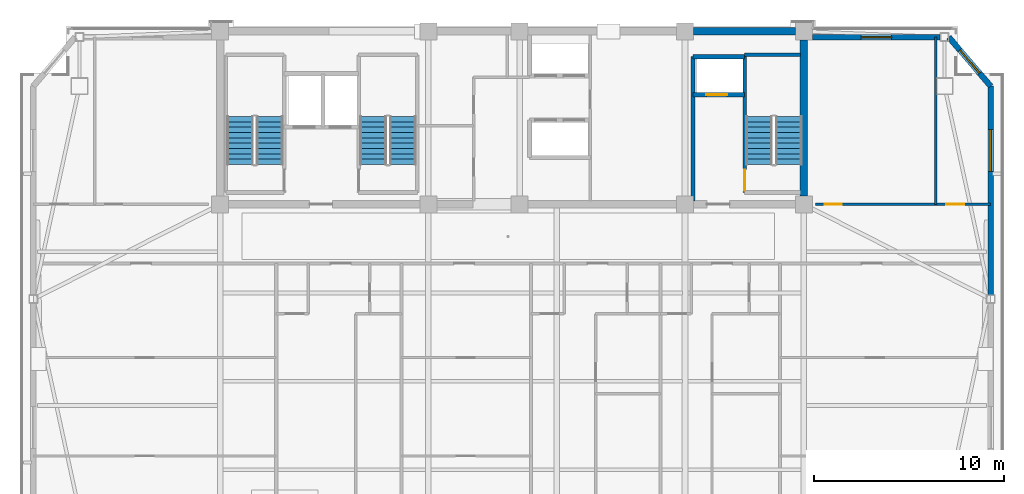
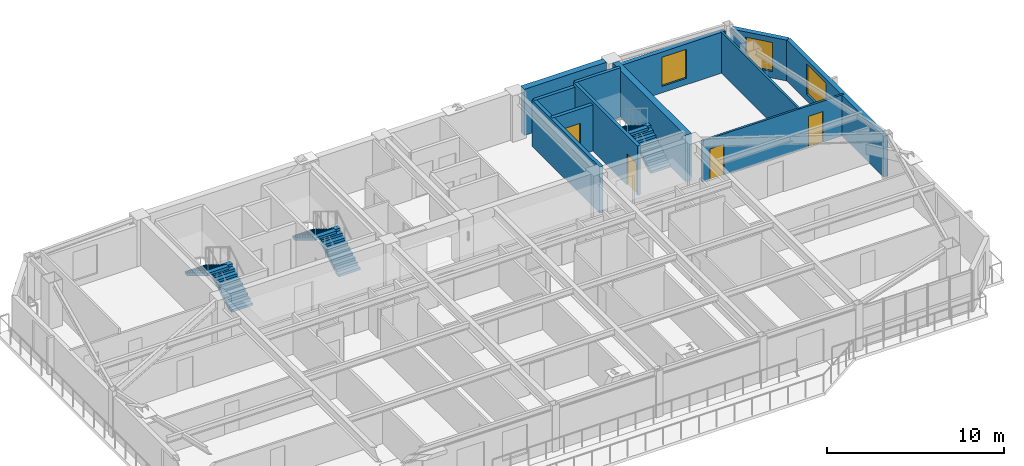
# One storey, part 10 of 15: 12 walls, 6 stair flights, 4 doors, 3 windows, 7 openings, 3 elements without a shape of their own.
"""IFC4 building model written with IfcOpenShell, lengths in metres."""

from ifc_helpers import new_model, si_unit, direction, frame, frame_2d, origin, place, context, subcontext, project, spatial, polyline, rectangle, outline, extrude, source, transform, mapped, material, layer, layer_set, type_object, element, fill, aggregate, save


model = new_model("IFC4")

# Units and contexts
model_context = context("Model", 3, precision=1e-05, world=origin(), true_north=direction((0.0, 1.0)))
body_context = subcontext(model_context, "Body", "Model", "MODEL_VIEW")
ifc_project = project(units=[si_unit("LENGTHUNIT", "METRE"), si_unit("AREAUNIT", "SQUARE_METRE"), si_unit("VOLUMEUNIT", "CUBIC_METRE"), si_unit("PLANEANGLEUNIT", "RADIAN"), si_unit("MASSUNIT", "GRAM", prefix="KILO")], contexts=[model_context])

# Site, building, storey
site_placement = place(None, origin())
site = spatial("IfcSite", under=ifc_project, at=site_placement, CompositionType="ELEMENT")
building_placement = place(site_placement, origin())
building = spatial("IfcBuilding", under=site, at=building_placement, Name="Giltprow Tower", CompositionType="ELEMENT")
storey_placement = place(building_placement, frame((0.0, 0.0, 297.199951171875)))
storey = spatial("IfcBuildingStorey", under=building, at=storey_placement, Name="L76", CompositionType="ELEMENT", Elevation=297.199951171875)

# Wall, opening, window
ifc_material_1 = material(Name="Precast concrete C40", Category="concrete")
ifc_layer_1 = layer(ifc_material_1, 0.300048828125, Name="Precast concrete C40")
ifc_layer_set_1 = layer_set([ifc_layer_1], Name="Precast concrete C40")
wall_type_1 = type_object("IfcWallType", Name="EW-NOTCH-CHAMFER-300", PredefinedType="SOLIDWALL", material=ifc_layer_set_1)
wall_1_placement = place(storey_placement, frame((60.3759765625, 43.6689453125, 0.0), z_axis=(0.0, 0.0, 1.0), x_axis=(-0.649724860602, 0.76016945842, 0.0)))
wall_1 = element("IfcWall", 1, at=wall_1_placement, inside=storey, type_object=wall_type_1, Name="L76 Corner Notch Wall NE", PredefinedType="SOLIDWALL", context=body_context, shape_type="SweptSolid", body=[
    extrude(rectangle(XDim=3.395263671875, YDim=0.300048828125, at=frame_2d((1.69775390625, 0.0))), origin(), (0.0, 0.0, 1.0), 2.81494140625),
])
opening_1_placement = place(wall_1_placement, frame((0.89794921875, 0.0, 0.449951171875)))
opening_1 = element("IfcOpeningElement", 2, at=opening_1_placement, cuts=wall_1, Name="Opening WN17", PredefinedType="OPENING", context=body_context, shape_type="SweptSolid", body=[
    extrude(rectangle(XDim=1.60009765625, YDim=2.0, at=frame_2d((0.800048828125, 1.0))), frame((0.0, 0.159912109375, 0.0), z_axis=(0.0, -1.0, 0.0), x_axis=(1.0, 0.0, 0.0)), (0.0, 0.0, 1.0), 0.320068359375),
])
ifc_material_2 = material(Name="Insulated glass", Category="glass")
window_type_1 = type_object("IfcWindowType", Name="WN-COR-1600x2000", PartitioningType="SINGLE_PANEL", PredefinedType="WINDOW", material=ifc_material_2)
shared_shape_1 = source(origin(), body_context, "Body", "SweptSolid", [
    extrude(rectangle(XDim=1.60009765625, YDim=2.0, at=frame_2d((0.800048828125, 1.0))), frame((0.0, 0.030029296875, 0.0), z_axis=(0.0, -1.0, 0.0), x_axis=(1.0, 0.0, 0.0)), (0.0, 0.0, 1.0), 0.06005859375),
])
window_1_placement = place(opening_1_placement, origin())
window_1 = element("IfcWindow", 3, at=window_1_placement, inside=storey, type_object=window_type_1, Name="L76 Corner Notch Window NE", OverallHeight=2.0, OverallWidth=1.60009765625, PartitioningType="SINGLE_PANEL", PredefinedType="WINDOW", context=body_context, shape_type="MappedRepresentation", body=[
    mapped(shared_shape_1, transform((0.0, 0.0, 0.0), x_axis=(1.0, 0.0, 0.0), y_axis=(0.0, 1.0, 0.0), z_axis=(0.0, 0.0, 1.0), scale=1.0)),
])
fill(opening_1, window_1)

ifc_layer_2 = layer(ifc_material_1, 0.280029296875, Name="Precast concrete C40")
ifc_layer_set_2 = layer_set([ifc_layer_2], Name="Precast concrete C40")
wall_type_2 = type_object("IfcWallType", Name="EW-TOW-BRONZE-280", PredefinedType="SOLIDWALL", material=ifc_layer_set_2)
wall_2_placement = place(storey_placement, frame((60.3759765625, 32.696044921875, 0.0), z_axis=(0.0, 0.0, 1.0), x_axis=(0.0, 1.0, 0.0)))
wall_2 = element("IfcWall", 4, at=wall_2_placement, inside=storey, type_object=wall_type_2, Name="L76 E Wing Masonry Wall 2", PredefinedType="SOLIDWALL", context=body_context, shape_type="SweptSolid", body=[
    extrude(rectangle(XDim=10.972900390625, YDim=0.280029296875, at=frame_2d((5.486328125, 0.0))), origin(), (0.0, 0.0, 1.0), 2.81494140625),
])
opening_2_placement = place(wall_2_placement, frame((6.488037109375, 0.0, 0.449951171875)))
opening_2 = element("IfcOpeningElement", 5, at=opening_2_placement, cuts=wall_2, Name="Opening WN27", PredefinedType="OPENING", context=body_context, shape_type="SweptSolid", body=[
    extrude(rectangle(XDim=2.199951171875, YDim=2.10009765625, at=frame_2d((1.10009765625, 1.050048828125))), frame((0.0, 0.14990234375, 0.0), z_axis=(0.0, -1.0, 0.0), x_axis=(1.0, 0.0, 0.0)), (0.0, 0.0, 1.0), 0.300048828125),
])
window_type_2 = type_object("IfcWindowType", Name="WN-RES-2200x2100", PartitioningType="TRIPLE_PANEL_VERTICAL", PredefinedType="WINDOW", material=ifc_material_2)
shared_shape_2 = source(origin(), body_context, "Body", "SweptSolid", [
    extrude(rectangle(XDim=2.199951171875, YDim=2.10009765625, at=frame_2d((1.10009765625, 1.050048828125))), frame((0.0, 0.030029296875, 0.0), z_axis=(0.0, -1.0, 0.0), x_axis=(1.0, 0.0, 0.0)), (0.0, 0.0, 1.0), 0.06005859375),
])
window_2_placement = place(opening_2_placement, origin())
window_2 = element("IfcWindow", 6, at=window_2_placement, inside=storey, type_object=window_type_2, Name="L76 E Wing Window 2-1", OverallHeight=2.10009765625, OverallWidth=2.199951171875, PartitioningType="SINGLE_PANEL", PredefinedType="WINDOW", context=body_context, shape_type="MappedRepresentation", body=[
    mapped(shared_shape_2, transform((0.0, 0.0, 0.0), x_axis=(1.0, 0.0, 0.0), y_axis=(0.0, 1.0, 0.0), z_axis=(0.0, 0.0, 1.0), scale=1.0)),
])
fill(opening_2, window_2)

wall_3_placement = place(storey_placement, frame((51.0, 46.25, 0.0), z_axis=(0.0, 0.0, 1.0), x_axis=(1.0, 0.0, 0.0)))
wall_3 = element("IfcWall", 7, at=wall_3_placement, inside=storey, type_object=wall_type_2, Name="L76 North-East Wing Wall", PredefinedType="SOLIDWALL", context=body_context, shape_type="SweptSolid", body=[
    extrude(rectangle(XDim=6.719970703125, YDim=0.280029296875, at=frame_2d((3.35986328125, 0.0))), origin(), (0.0, 0.0, 1.0), 2.81494140625),
])
opening_3_placement = place(wall_3_placement, frame((2.56005859375, 0.0, 0.449951171875)))
opening_3 = element("IfcOpeningElement", 8, at=opening_3_placement, cuts=wall_3, Name="Opening WN17", PredefinedType="OPENING", context=body_context, shape_type="SweptSolid", body=[
    extrude(rectangle(XDim=1.60009765625, YDim=2.0, at=frame_2d((0.800048828125, 1.0))), frame((0.0, 0.14990234375, 0.0), z_axis=(0.0, -1.0, 0.0), x_axis=(1.0, 0.0, 0.0)), (0.0, 0.0, 1.0), 0.300048828125),
])
window_3_placement = place(opening_3_placement, origin())
window_3 = element("IfcWindow", 9, at=window_3_placement, inside=storey, type_object=window_type_1, Name="L76 North-East Window", OverallHeight=2.0, OverallWidth=1.60009765625, PartitioningType="SINGLE_PANEL", PredefinedType="WINDOW", context=body_context, shape_type="MappedRepresentation", body=[
    mapped(shared_shape_1, transform((0.0, 0.0, 0.0), x_axis=(1.0, 0.0, 0.0), y_axis=(0.0, 1.0, 0.0), z_axis=(0.0, 0.0, 1.0), scale=1.0)),
])
fill(opening_3, window_3)

# Wall, opening, door
ifc_material_3 = material(Name="Concrete C40", Category="concrete")
ifc_layer_3 = layer(ifc_material_3, 0.219970703125, Name="Concrete C40")
ifc_layer_set_3 = layer_set([ifc_layer_3], Name="Concrete C40")
wall_type_3 = type_object("IfcWallType", Name="IW-SHAFT-220", PredefinedType="SOLIDWALL", material=ifc_layer_set_3)
wall_4_placement = place(storey_placement, frame((44.719970703125, 43.219970703125, 0.0), z_axis=(0.0, 0.0, 1.0), x_axis=(1.0, 0.0, 0.0)))
wall_4 = element("IfcWall", 10, at=wall_4_placement, inside=storey, type_object=wall_type_3, Name="L76 FFL2 Front Shaft Wall", PredefinedType="SOLIDWALL", context=body_context, shape_type="SweptSolid", body=[
    extrude(rectangle(XDim=2.719970703125, YDim=0.219970703125, at=frame_2d((1.35986328125, 0.0))), origin(), (0.0, 0.0, 1.0), 3.18505859375),
])
opening_4_placement = place(wall_4_placement, frame((0.699951171875, 0.0, 0.0)))
opening_4 = element("IfcOpeningElement", 11, at=opening_4_placement, cuts=wall_4, Name="Opening LD-11", PredefinedType="OPENING", context=body_context, shape_type="SweptSolid", body=[
    extrude(rectangle(XDim=1.10009765625, YDim=2.199951171875, at=frame_2d((0.550048828125, 1.10009765625))), frame((0.0, 0.119873046875, 0.0), z_axis=(0.0, -1.0, 0.0), x_axis=(1.0, 0.0, 0.0)), (0.0, 0.0, 1.0), 0.239990234375),
])
ifc_material_4 = material(Name="Stainless steel", Category="steel")
door_type_1 = type_object("IfcDoorType", Name="DR-LIFT-LD1100", OperationType="SLIDING_TO_LEFT", PredefinedType="DOOR", material=ifc_material_4)
shared_shape_3 = source(origin(), body_context, "Body", "SweptSolid", [
    extrude(rectangle(XDim=1.10009765625, YDim=2.199951171875, at=frame_2d((0.550048828125, 1.10009765625))), frame((0.0, 0.02490234375, 0.0), z_axis=(0.0, -1.0, 0.0), x_axis=(1.0, 0.0, 0.0)), (0.0, 0.0, 1.0), 0.050048828125),
])
door_1_placement = place(opening_4_placement, origin())
door_1 = element("IfcDoor", 12, at=door_1_placement, inside=storey, type_object=door_type_1, Name="L76 FFL2 Landing Door", OperationType="SLIDING_TO_LEFT", OverallHeight=2.199951171875, OverallWidth=1.10009765625, PredefinedType="DOOR", context=body_context, shape_type="MappedRepresentation", body=[
    mapped(shared_shape_3, transform((0.0, 0.0, 0.0), x_axis=(1.0, 0.0, 0.0), y_axis=(0.0, 1.0, 0.0), z_axis=(0.0, 0.0, 1.0), scale=1.0)),
])
fill(opening_4, door_1)

# Walls
wall_5_placement = place(storey_placement, frame((44.719970703125, 45.219970703125, 0.0), z_axis=(0.0, 0.0, 1.0), x_axis=(1.0, 0.0, 0.0)))
element("IfcWall", 13, at=wall_5_placement, inside=storey, type_object=wall_type_3, Name="L76 FFL2 Back Shaft Wall", PredefinedType="SOLIDWALL", context=body_context, shape_type="SweptSolid", body=[
    extrude(rectangle(XDim=2.719970703125, YDim=0.219970703125, at=frame_2d((1.35986328125, 0.0))), origin(), (0.0, 0.0, 1.0), 3.18505859375),
])
wall_6_placement = place(storey_placement, frame((44.719970703125, 37.6298828125, 0.0), z_axis=(0.0, 0.0, 1.0), x_axis=(0.0, 1.0, 0.0)))
element("IfcWall", 14, at=wall_6_placement, inside=storey, type_object=wall_type_3, Name="L76 East Firefighting Lobby West Wall", PredefinedType="SOLIDWALL", context=body_context, shape_type="SweptSolid", body=[
    extrude(rectangle(XDim=7.590087890625, YDim=0.219970703125, at=frame_2d((3.794921875, 0.0))), origin(), (0.0, 0.0, 1.0), 3.18505859375),
])

# Wall, opening, door
ifc_layer_4 = layer(ifc_material_3, 0.199951171875, Name="Concrete C40")
ifc_layer_set_4 = layer_set([ifc_layer_4], Name="Concrete C40")
wall_type_4 = type_object("IfcWallType", Name="IW-STAIR-200", PredefinedType="SOLIDWALL", material=ifc_layer_set_4)
wall_7_placement = place(storey_placement, frame((47.43994140625, 38.070068359375, 0.0), z_axis=(0.0, 0.0, 1.0), x_axis=(0.0, 1.0, 0.0)))
wall_7 = element("IfcWall", 15, at=wall_7_placement, inside=storey, type_object=wall_type_4, Name="L76 Stair ST-3 West Bearing Wall", PredefinedType="SOLIDWALL", context=body_context, shape_type="SweptSolid", body=[
    extrude(rectangle(XDim=7.25, YDim=0.199951171875, at=frame_2d((3.625, 0.0))), origin(), (0.0, 0.0, 1.0), 3.400146484375),
])
opening_5_placement = place(wall_7_placement, frame((0.110107421875, 0.0, 0.0)))
opening_5 = element("IfcOpeningElement", 16, at=opening_5_placement, cuts=wall_7, Name="Opening ID33", PredefinedType="OPENING", context=body_context, shape_type="SweptSolid", body=[
    extrude(rectangle(XDim=1.10009765625, YDim=2.14990234375, at=frame_2d((0.550048828125, 1.074951171875))), frame((0.0, 0.10986328125, 0.0), z_axis=(0.0, -1.0, 0.0), x_axis=(1.0, 0.0, 0.0)), (0.0, 0.0, 1.0), 0.219970703125),
])
ifc_material_5 = material(Name="Steel fire leaf", Category="steel")
door_type_2 = type_object("IfcDoorType", Name="DR-STAIR-1100", OperationType="SINGLE_SWING_LEFT", PredefinedType="DOOR", material=ifc_material_5)
shared_shape_4 = source(origin(), body_context, "Body", "SweptSolid", [
    extrude(rectangle(XDim=1.10009765625, YDim=2.14990234375, at=frame_2d((0.550048828125, 1.074951171875))), frame((0.0, 0.02490234375, 0.0), z_axis=(0.0, -1.0, 0.0), x_axis=(1.0, 0.0, 0.0)), (0.0, 0.0, 1.0), 0.050048828125),
])
door_2_placement = place(opening_5_placement, origin())
door_2 = element("IfcDoor", 17, at=door_2_placement, inside=storey, type_object=door_type_2, Name="L76 Stair ST-3 Fire Door", OperationType="SINGLE_SWING_RIGHT", OverallHeight=2.14990234375, OverallWidth=1.10009765625, PredefinedType="DOOR", context=body_context, shape_type="MappedRepresentation", body=[
    mapped(shared_shape_4, transform((0.0, 0.0, 0.0), x_axis=(1.0, 0.0, 0.0), y_axis=(0.0, 1.0, 0.0), z_axis=(0.0, 0.0, 1.0), scale=1.0)),
])
fill(opening_5, door_2)

# Wall
wall_8_placement = place(storey_placement, frame((47.43994140625, 45.320068359375, 0.0), z_axis=(0.0, 0.0, 1.0), x_axis=(1.0, 0.0, 0.0)))
element("IfcWall", 18, at=wall_8_placement, inside=storey, type_object=wall_type_4, Name="L76 Stair ST-3 North Bearing Wall", PredefinedType="SOLIDWALL", context=body_context, shape_type="SweptSolid", body=[
    extrude(rectangle(XDim=2.93017578125, YDim=0.199951171875, at=frame_2d((1.465087890625, 0.0))), origin(), (0.0, 0.0, 1.0), 3.400146484375),
])

# Wall, openings, doors
ifc_material_6 = material(Name="Concrete C30", Category="concrete")
ifc_layer_5 = layer(ifc_material_6, 0.1298828125, Name="Concrete C30")
ifc_layer_set_5 = layer_set([ifc_layer_5], Name="Concrete C30")
wall_type_5 = type_object("IfcWallType", Name="IW-WET-130", PredefinedType="PARTITIONING", material=ifc_layer_set_5)
wall_9_placement = place(storey_placement, frame((51.14990234375, 37.449951171875, 0.0), z_axis=(0.0, 0.0, 1.0), x_axis=(1.0, 0.0, 0.0)))
wall_9 = element("IfcWall", 19, at=wall_9_placement, inside=storey, type_object=wall_type_5, Name="L76 NE Wing South Wall", PredefinedType="PARTITIONING", context=body_context, shape_type="SweptSolid", body=[
    extrude(rectangle(XDim=9.22607421875, YDim=0.1298828125, at=frame_2d((4.613037109375, 0.0))), origin(), (0.0, 0.0, 1.0), 2.820068359375),
])
opening_6_placement = place(wall_9_placement, frame((0.5, 0.0, 0.0)))
opening_6 = element("IfcOpeningElement", 20, at=opening_6_placement, cuts=wall_9, Name="Opening ID15", PredefinedType="OPENING", context=body_context, shape_type="SweptSolid", body=[
    extrude(rectangle(XDim=0.89990234375, YDim=2.10009765625, at=frame_2d((0.449951171875, 1.050048828125))), frame((0.0, 0.074951171875, 0.0), z_axis=(0.0, -1.0, 0.0), x_axis=(1.0, 0.0, 0.0)), (0.0, 0.0, 1.0), 0.14990234375),
])
opening_7_placement = place(wall_9_placement, frame((6.89794921875, 0.0, 0.0)))
opening_7 = element("IfcOpeningElement", 21, at=opening_7_placement, cuts=wall_9, Name="Opening ID11", PredefinedType="OPENING", context=body_context, shape_type="SweptSolid", body=[
    extrude(rectangle(XDim=0.949951171875, YDim=2.10009765625, at=frame_2d((0.47509765625, 1.050048828125))), frame((0.0, 0.074951171875, 0.0), z_axis=(0.0, -1.0, 0.0), x_axis=(1.0, 0.0, 0.0)), (0.0, 0.0, 1.0), 0.14990234375),
])
ifc_material_7 = material(Name="Engineered timber", Category="wood")
door_type_3 = type_object("IfcDoorType", Name="DR-WC-900", OperationType="SINGLE_SWING_LEFT", PredefinedType="DOOR", material=ifc_material_7)
shared_shape_5 = source(origin(), body_context, "Body", "SweptSolid", [
    extrude(rectangle(XDim=0.89990234375, YDim=2.10009765625, at=frame_2d((0.449951171875, 1.050048828125))), frame((0.0, 0.02490234375, 0.0), z_axis=(0.0, -1.0, 0.0), x_axis=(1.0, 0.0, 0.0)), (0.0, 0.0, 1.0), 0.050048828125),
])
door_3_placement = place(opening_6_placement, origin())
door_3 = element("IfcDoor", 22, at=door_3_placement, inside=storey, type_object=door_type_3, Name="L76 East Wing Washroom Door", OperationType="SINGLE_SWING_RIGHT", OverallHeight=2.10009765625, OverallWidth=0.89990234375, PredefinedType="DOOR", context=body_context, shape_type="MappedRepresentation", body=[
    mapped(shared_shape_5, transform((0.0, 0.0, 0.0), x_axis=(1.0, 0.0, 0.0), y_axis=(0.0, 1.0, 0.0), z_axis=(0.0, 0.0, 1.0), scale=1.0)),
])
fill(opening_6, door_3)
door_type_4 = type_object("IfcDoorType", Name="DR-ROOM-950", OperationType="SINGLE_SWING_RIGHT", PredefinedType="DOOR", material=ifc_material_7)
shared_shape_6 = source(origin(), body_context, "Body", "SweptSolid", [
    extrude(rectangle(XDim=0.949951171875, YDim=2.10009765625, at=frame_2d((0.47509765625, 1.050048828125))), frame((0.0, 0.02490234375, 0.0), z_axis=(0.0, -1.0, 0.0), x_axis=(1.0, 0.0, 0.0)), (0.0, 0.0, 1.0), 0.050048828125),
])
door_4_placement = place(opening_7_placement, origin())
door_4 = element("IfcDoor", 23, at=door_4_placement, inside=storey, type_object=door_type_4, Name="L76 Residents Reading Lounge Door", OperationType="SINGLE_SWING_RIGHT", OverallHeight=2.10009765625, OverallWidth=0.949951171875, PredefinedType="DOOR", context=body_context, shape_type="MappedRepresentation", body=[
    mapped(shared_shape_6, transform((0.0, 0.0, 0.0), x_axis=(1.0, 0.0, 0.0), y_axis=(0.0, 1.0, 0.0), z_axis=(0.0, 0.0, 1.0), scale=1.0)),
])
fill(opening_7, door_4)

# Walls
wall_10_placement = place(storey_placement, frame((57.498046875, 37.449951171875, 0.0), z_axis=(0.0, 0.0, 1.0), x_axis=(0.0, 1.0, 0.0)))
element("IfcWall", 24, at=wall_10_placement, inside=storey, type_object=wall_type_5, Name="L76 NE Wing Divider", PredefinedType="PARTITIONING", context=body_context, shape_type="SweptSolid", body=[
    extrude(rectangle(XDim=8.800048828125, YDim=0.1298828125, at=frame_2d((4.39990234375, 0.0))), origin(), (0.0, 0.0, 1.0), 2.820068359375),
])
ifc_material_8 = material(Name="Concrete C45", Category="concrete")
ifc_layer_6 = layer(ifc_material_8, 0.39990234375, Name="Concrete C45")
ifc_layer_set_6 = layer_set([ifc_layer_6], Name="Concrete C45")
wall_type_6 = type_object("IfcWallType", Name="SW-EXT-400-C45", PredefinedType="SHEAR", material=ifc_layer_set_6)
wall_11_placement = place(storey_placement, frame((44.75, 46.550048828125, 0.0), z_axis=(0.0, 0.0, 1.0), x_axis=(1.0, 0.0, 0.0)))
element("IfcWall", 25, at=wall_11_placement, inside=storey, type_object=wall_type_6, Name="L76 North Rear Core Shear Wall 4", PredefinedType="SHEAR", context=body_context, shape_type="SweptSolid", body=[
    extrude(rectangle(XDim=5.35009765625, YDim=0.39990234375, at=frame_2d((2.675048828125, 0.0))), origin(), (0.0, 0.0, 1.0), 3.18505859375),
])
ifc_layer_7 = layer(ifc_material_8, 0.39990234375, Name="Concrete C45")
ifc_layer_set_7 = layer_set([ifc_layer_7], Name="Concrete C45")
wall_type_7 = type_object("IfcWallType", Name="SW-INT-400-C45", PredefinedType="SHEAR", material=ifc_layer_set_7)
wall_12_placement = place(storey_placement, frame((50.550048828125, 37.89990234375, 0.0), z_axis=(0.0, 0.0, 1.0), x_axis=(0.0, 1.0, 0.0)))
element("IfcWall", 26, at=wall_12_placement, inside=storey, type_object=wall_type_7, Name="L76 E Rear Core Shear Wall", PredefinedType="SHEAR", context=body_context, shape_type="SweptSolid", body=[
    extrude(rectangle(XDim=8.2001953125, YDim=0.39990234375, at=frame_2d((4.10009765625, 0.0))), origin(), (0.0, 0.0, 1.0), 3.18505859375),
])

# Stair, stair flights
stair_type_1 = type_object("IfcStairType", Name="STR-ST-1", PredefinedType="HALF_TURN_STAIR", material=ifc_material_3)
stair_1_placement = place(storey_placement, origin())
stair_1 = element("IfcStair", 27, at=stair_1_placement, inside=storey, type_object=stair_type_1, Name="L76 Core Exit Stair ST-1", PredefinedType="HALF_TURN_STAIR")
stair_flight_type_1 = type_object("IfcStairFlightType", Name="SFL-ST-1", PredefinedType="STRAIGHT", material=ifc_material_3)
stair_flight_1_placement = place(storey_placement, frame((22.4599609375, 39.550048828125, 0.0), z_axis=(0.0, 0.0, 1.0), x_axis=(0.0, 1.0, 0.0)))
stair_flight_1 = element("IfcStairFlight", 28, at=stair_flight_1_placement, type_object=stair_flight_type_1, Name="ST-1 flight 1", NumberOfRisers=10, NumberOfTreads=9, PredefinedType="STRAIGHT", RiserHeight=0.17, TreadLength=0.28, context=body_context, shape_type="SweptSolid", body=[
    extrude(outline(polyline([(0.0, 0.0), (0.0, 0.169921875), (0.280029296875, 0.169921875), (0.280029296875, 0.340087890625), (0.56005859375, 0.340087890625), (0.56005859375, 0.510009765625), (0.840087890625, 0.510009765625), (0.840087890625, 0.679931640625), (1.1201171875, 0.679931640625), (1.1201171875, 0.85009765625), (1.39990234375, 0.85009765625), (1.39990234375, 1.02001953125), (1.679931640625, 1.02001953125), (1.679931640625, 1.18994140625), (1.9599609375, 1.18994140625), (1.9599609375, 1.360107421875), (2.239990234375, 1.360107421875), (2.239990234375, 1.530029296875), (2.52001953125, 1.530029296875), (2.52001953125, 1.699951171875), (2.52001953125, 1.354736328125), (0.288818359375, 0.0), (0.0, 0.0)])), frame((0.0, 0.699951171875, 0.0), z_axis=(0.0, -1.0, 0.0), x_axis=(1.0, 0.0, 0.0)), (0.0, 0.0, 1.0), 1.39990234375),
])
stair_flight_2_placement = place(storey_placement, frame((20.89990234375, 42.070068359375, 1.699951171875), z_axis=(0.0, 0.0, 1.0), x_axis=(0.0, -1.0, 0.0)))
stair_flight_2 = element("IfcStairFlight", 29, at=stair_flight_2_placement, type_object=stair_flight_type_1, Name="ST-1 flight 2", NumberOfRisers=10, NumberOfTreads=9, PredefinedType="STRAIGHT", RiserHeight=0.17, TreadLength=0.28, context=body_context, shape_type="SweptSolid", body=[
    extrude(outline(polyline([(0.0, 0.0), (0.0, 0.169921875), (0.280029296875, 0.169921875), (0.280029296875, 0.340087890625), (0.56005859375, 0.340087890625), (0.56005859375, 0.510009765625), (0.840087890625, 0.510009765625), (0.840087890625, 0.679931640625), (1.1201171875, 0.679931640625), (1.1201171875, 0.85009765625), (1.39990234375, 0.85009765625), (1.39990234375, 1.02001953125), (1.679931640625, 1.02001953125), (1.679931640625, 1.18994140625), (1.9599609375, 1.18994140625), (1.9599609375, 1.360107421875), (2.239990234375, 1.360107421875), (2.239990234375, 1.530029296875), (2.52001953125, 1.530029296875), (2.52001953125, 1.699951171875), (2.52001953125, 1.354736328125), (0.288818359375, 0.0), (0.0, 0.0)])), frame((0.0, 0.699951171875, 0.0), z_axis=(0.0, -1.0, 0.0), x_axis=(1.0, 0.0, 0.0)), (0.0, 0.0, 1.0), 1.39990234375),
])
aggregate(stair_1, [stair_flight_1, stair_flight_2])

stair_type_2 = type_object("IfcStairType", Name="STR-ST-2", PredefinedType="HALF_TURN_STAIR", material=ifc_material_3)
stair_2_placement = place(storey_placement, origin())
stair_2 = element("IfcStair", 30, at=stair_2_placement, inside=storey, type_object=stair_type_2, Name="L76 Core Exit Stair ST-2", PredefinedType="HALF_TURN_STAIR")
stair_flight_type_2 = type_object("IfcStairFlightType", Name="SFL-ST-2", PredefinedType="STRAIGHT", material=ifc_material_3)
stair_flight_3_placement = place(storey_placement, frame((29.4599609375, 39.550048828125, 0.0), z_axis=(0.0, 0.0, 1.0), x_axis=(0.0, 1.0, 0.0)))
stair_flight_3 = element("IfcStairFlight", 31, at=stair_flight_3_placement, type_object=stair_flight_type_2, Name="ST-2 flight 1", NumberOfRisers=10, NumberOfTreads=9, PredefinedType="STRAIGHT", RiserHeight=0.17, TreadLength=0.28, context=body_context, shape_type="SweptSolid", body=[
    extrude(outline(polyline([(0.0, 0.0), (0.0, 0.169921875), (0.280029296875, 0.169921875), (0.280029296875, 0.340087890625), (0.56005859375, 0.340087890625), (0.56005859375, 0.510009765625), (0.840087890625, 0.510009765625), (0.840087890625, 0.679931640625), (1.1201171875, 0.679931640625), (1.1201171875, 0.85009765625), (1.39990234375, 0.85009765625), (1.39990234375, 1.02001953125), (1.679931640625, 1.02001953125), (1.679931640625, 1.18994140625), (1.9599609375, 1.18994140625), (1.9599609375, 1.360107421875), (2.239990234375, 1.360107421875), (2.239990234375, 1.530029296875), (2.52001953125, 1.530029296875), (2.52001953125, 1.699951171875), (2.52001953125, 1.354736328125), (0.288818359375, 0.0), (0.0, 0.0)])), frame((0.0, 0.699951171875, 0.0), z_axis=(0.0, -1.0, 0.0), x_axis=(1.0, 0.0, 0.0)), (0.0, 0.0, 1.0), 1.39990234375),
])
stair_flight_4_placement = place(storey_placement, frame((27.89990234375, 42.070068359375, 1.699951171875), z_axis=(0.0, 0.0, 1.0), x_axis=(0.0, -1.0, 0.0)))
stair_flight_4 = element("IfcStairFlight", 32, at=stair_flight_4_placement, type_object=stair_flight_type_2, Name="ST-2 flight 2", NumberOfRisers=10, NumberOfTreads=9, PredefinedType="STRAIGHT", RiserHeight=0.17, TreadLength=0.28, context=body_context, shape_type="SweptSolid", body=[
    extrude(outline(polyline([(0.0, 0.0), (0.0, 0.169921875), (0.280029296875, 0.169921875), (0.280029296875, 0.340087890625), (0.56005859375, 0.340087890625), (0.56005859375, 0.510009765625), (0.840087890625, 0.510009765625), (0.840087890625, 0.679931640625), (1.1201171875, 0.679931640625), (1.1201171875, 0.85009765625), (1.39990234375, 0.85009765625), (1.39990234375, 1.02001953125), (1.679931640625, 1.02001953125), (1.679931640625, 1.18994140625), (1.9599609375, 1.18994140625), (1.9599609375, 1.360107421875), (2.239990234375, 1.360107421875), (2.239990234375, 1.530029296875), (2.52001953125, 1.530029296875), (2.52001953125, 1.699951171875), (2.52001953125, 1.354736328125), (0.288818359375, 0.0), (0.0, 0.0)])), frame((0.0, 0.699951171875, 0.0), z_axis=(0.0, -1.0, 0.0), x_axis=(1.0, 0.0, 0.0)), (0.0, 0.0, 1.0), 1.39990234375),
])
aggregate(stair_2, [stair_flight_3, stair_flight_4])

stair_type_3 = type_object("IfcStairType", Name="STR-ST-3", PredefinedType="HALF_TURN_STAIR", material=ifc_material_3)
stair_3_placement = place(storey_placement, origin())
stair_3 = element("IfcStair", 33, at=stair_3_placement, inside=storey, type_object=stair_type_3, Name="L76 Core Exit Stair ST-3", PredefinedType="HALF_TURN_STAIR")
stair_flight_type_3 = type_object("IfcStairFlightType", Name="SFL-ST-3", PredefinedType="STRAIGHT", material=ifc_material_3)
stair_flight_5_placement = place(storey_placement, frame((49.760009765625, 39.550048828125, 0.0), z_axis=(0.0, 0.0, 1.0), x_axis=(0.0, 1.0, 0.0)))
stair_flight_5 = element("IfcStairFlight", 34, at=stair_flight_5_placement, type_object=stair_flight_type_3, Name="ST-3 flight 1", NumberOfRisers=10, NumberOfTreads=9, PredefinedType="STRAIGHT", RiserHeight=0.17, TreadLength=0.28, context=body_context, shape_type="SweptSolid", body=[
    extrude(outline(polyline([(0.0, 0.0), (0.0, 0.169921875), (0.280029296875, 0.169921875), (0.280029296875, 0.340087890625), (0.56005859375, 0.340087890625), (0.56005859375, 0.510009765625), (0.840087890625, 0.510009765625), (0.840087890625, 0.679931640625), (1.1201171875, 0.679931640625), (1.1201171875, 0.85009765625), (1.39990234375, 0.85009765625), (1.39990234375, 1.02001953125), (1.679931640625, 1.02001953125), (1.679931640625, 1.18994140625), (1.9599609375, 1.18994140625), (1.9599609375, 1.360107421875), (2.239990234375, 1.360107421875), (2.239990234375, 1.530029296875), (2.52001953125, 1.530029296875), (2.52001953125, 1.699951171875), (2.52001953125, 1.354736328125), (0.288818359375, 0.0), (0.0, 0.0)])), frame((0.0, 0.699951171875, 0.0), z_axis=(0.0, -1.0, 0.0), x_axis=(1.0, 0.0, 0.0)), (0.0, 0.0, 1.0), 1.39990234375),
])
stair_flight_6_placement = place(storey_placement, frame((48.199951171875, 42.070068359375, 1.699951171875), z_axis=(0.0, 0.0, 1.0), x_axis=(0.0, -1.0, 0.0)))
stair_flight_6 = element("IfcStairFlight", 35, at=stair_flight_6_placement, type_object=stair_flight_type_3, Name="ST-3 flight 2", NumberOfRisers=10, NumberOfTreads=9, PredefinedType="STRAIGHT", RiserHeight=0.17, TreadLength=0.28, context=body_context, shape_type="SweptSolid", body=[
    extrude(outline(polyline([(0.0, 0.0), (0.0, 0.169921875), (0.280029296875, 0.169921875), (0.280029296875, 0.340087890625), (0.56005859375, 0.340087890625), (0.56005859375, 0.510009765625), (0.840087890625, 0.510009765625), (0.840087890625, 0.679931640625), (1.1201171875, 0.679931640625), (1.1201171875, 0.85009765625), (1.39990234375, 0.85009765625), (1.39990234375, 1.02001953125), (1.679931640625, 1.02001953125), (1.679931640625, 1.18994140625), (1.9599609375, 1.18994140625), (1.9599609375, 1.360107421875), (2.239990234375, 1.360107421875), (2.239990234375, 1.530029296875), (2.52001953125, 1.530029296875), (2.52001953125, 1.699951171875), (2.52001953125, 1.354736328125), (0.288818359375, 0.0), (0.0, 0.0)])), frame((0.0, 0.699951171875, 0.0), z_axis=(0.0, -1.0, 0.0), x_axis=(1.0, 0.0, 0.0)), (0.0, 0.0, 1.0), 1.39990234375),
])
aggregate(stair_3, [stair_flight_5, stair_flight_6])

save(model, "model.ifc")
